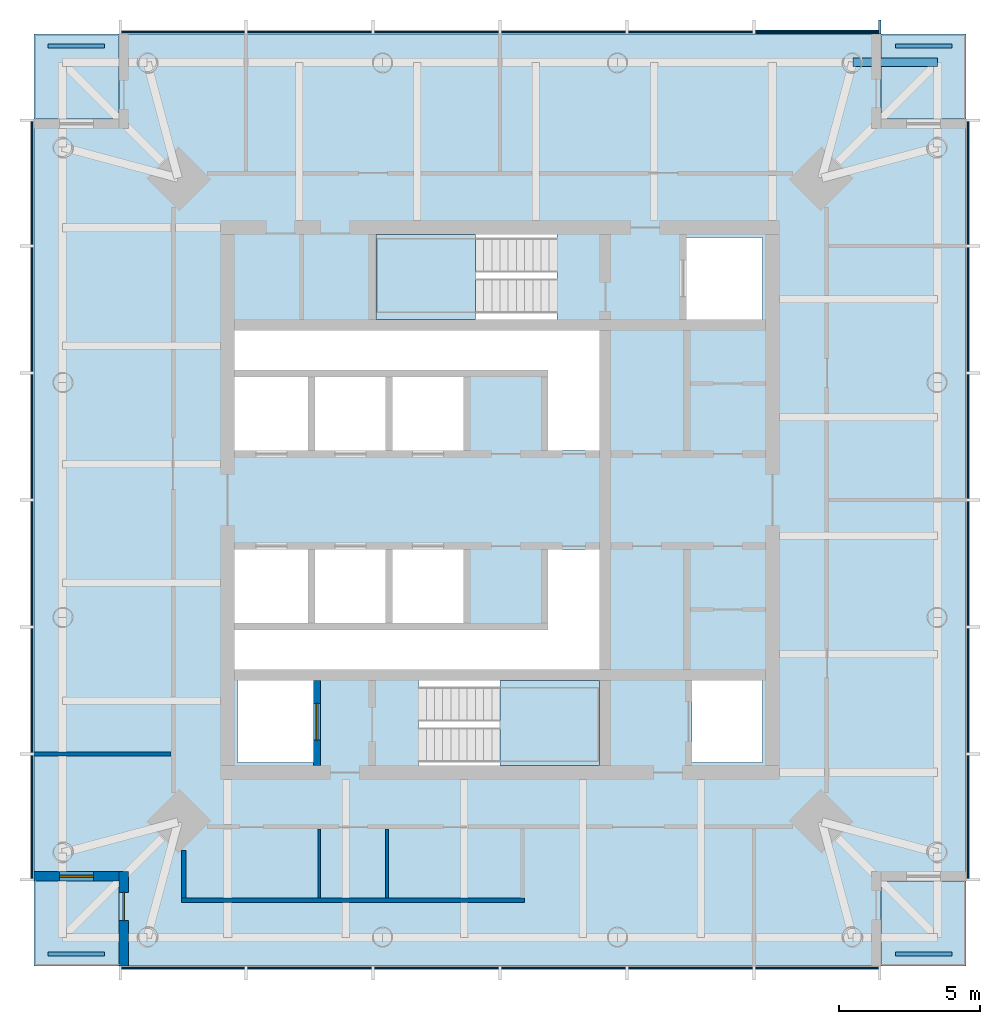
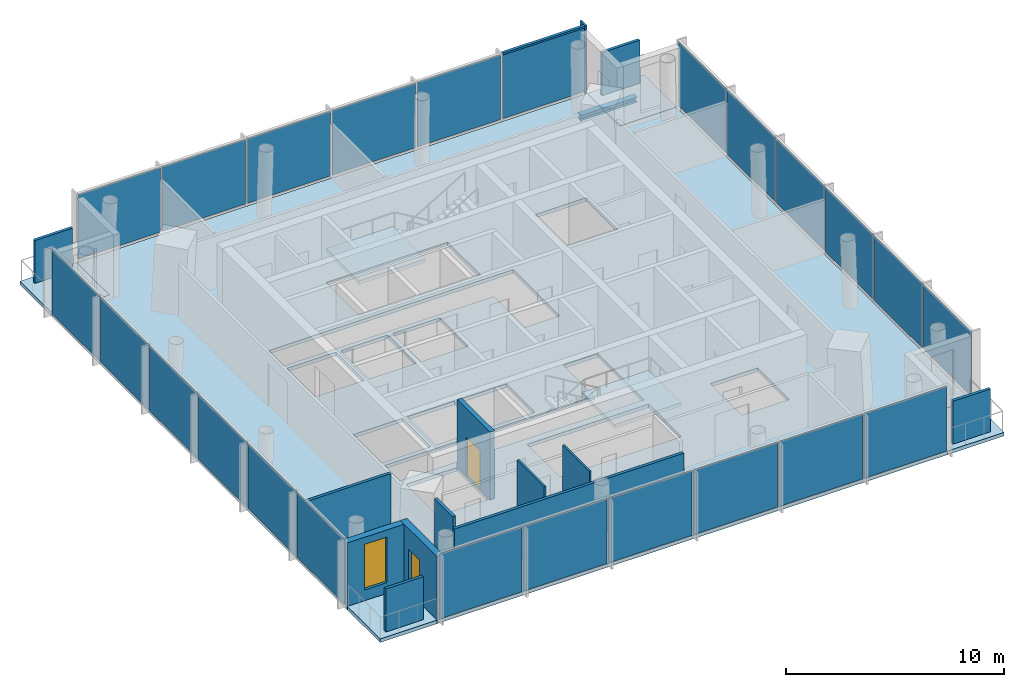
# One storey, part 3 of 7: 28 plates, 8 walls, 7 slabs, 2 doors, 2 members, 1 beam, 1 window, 3 openings, 6 elements without a shape of their own.
"""IFC4 building model written with IfcOpenShell, lengths in metres."""

from ifc_helpers import new_model, si_unit, direction, frame, frame_2d, origin, origin_2d, place, context, subcontext, project, spatial, polyline, rectangle, i_section, outline, extrude, material, layer, layer_set, material_profile, profile_set, type_object, element, fill, aggregate, save


model = new_model("IFC4")

# Units and contexts
model_context = context("Model", 3, precision=1e-05, world=origin(), true_north=direction((0.0, 1.0)))
body_context = subcontext(model_context, "Body", "Model", "MODEL_VIEW")
ifc_project = project(units=[si_unit("LENGTHUNIT", "METRE"), si_unit("AREAUNIT", "SQUARE_METRE"), si_unit("VOLUMEUNIT", "CUBIC_METRE"), si_unit("PLANEANGLEUNIT", "RADIAN"), si_unit("MASSUNIT", "GRAM", prefix="KILO")], contexts=[model_context])

# Site, building, storey
site_placement = place(None, origin())
site = spatial("IfcSite", under=ifc_project, at=site_placement, CompositionType="ELEMENT")
building_placement = place(site_placement, origin())
building = spatial("IfcBuilding", under=site, at=building_placement, Name="Ostroluk Exchange", CompositionType="ELEMENT")
storey_placement = place(building_placement, frame((0.0, 0.0, 287.0)))
storey = spatial("IfcBuildingStorey", under=building, at=storey_placement, Name="L74", CompositionType="ELEMENT", Elevation=287.0)

# Beam
ifc_material_1 = material(Name="Steel S355", Category="steel")
ifc_material_profile_1 = material_profile(ifc_material_1, i_section(OverallWidth=0.300048828125, OverallDepth=0.300048828125, WebThickness=0.010986328125, FlangeThickness=0.01904296875, FilletRadius=0.027099609375, at=origin_2d()), Name="HEB 300")
ifc_profile_set_1 = profile_set([ifc_material_profile_1], Name="Steel S355")
beam_type = type_object("IfcBeamType", Name="Balcony beam HEB 300", PredefinedType="BEAM", material=ifc_profile_set_1)
beam_placement = place(storey_placement, frame((57.5, 61.5, -0.35009765625), z_axis=(1.0, 0.0, 0.0), x_axis=(0.0, 1.0, 0.0)))
element("IfcBeam", 1, at=beam_placement, inside=storey, type_object=beam_type, Name="T1 east balcony beam b", PredefinedType="BEAM", context=body_context, shape_type="SweptSolid", body=[
    extrude(i_section(OverallWidth=0.300048828125, OverallDepth=0.300048828125, WebThickness=0.010986328125, FlangeThickness=0.01904296875, FilletRadius=0.027099609375, at=origin_2d()), origin(), (0.0, 0.0, 1.0), 3.0),
])

# Curtain wall, members
ifc_material_2 = material(Name="Laminated clear glass", Category="glass")
curtain_wall_type = type_object("IfcCurtainWallType", Name="Sky garden and observation glazing", PredefinedType="USERDEFINED", material=ifc_material_2)
curtain_wall_1_placement = place(storey_placement, origin())
curtain_wall_1 = element("IfcCurtainWall", 2, at=curtain_wall_1_placement, inside=storey, type_object=curtain_wall_type, Name="Office tower north facade L74", ObjectType="STRUCTURAL GLAZING", PredefinedType="USERDEFINED")
ifc_material_3 = material(Name="Aluminium mullion", Category="aluminium")
ifc_material_profile_2 = material_profile(ifc_material_3, rectangle(XDim=0.14990234375, YDim=0.10009765625, at=origin_2d()), Name="Sill transom 100 x 150")
ifc_profile_set_2 = profile_set([ifc_material_profile_2], Name="Aluminium mullion")
member_type_1 = type_object("IfcMemberType", Name="Sill transom 100 x 150", PredefinedType="USERDEFINED", material=ifc_profile_set_2)
member_1_placement = place(storey_placement, frame((58.39990234375, 62.574951171875, 3.75), z_axis=(-1.0, 0.0, 0.0), x_axis=(0.0, -1.0, 0.0)))
member_1 = element("IfcMember", 3, at=member_1_placement, type_object=member_type_1, Name="CW-S1 transom 1.2", ObjectType="TRANSOM", PredefinedType="USERDEFINED", context=body_context, shape_type="SweptSolid", body=[
    extrude(rectangle(XDim=0.14990234375, YDim=0.10009765625, at=origin_2d()), origin(), (0.0, 0.0, 1.0), 4.349853515625),
])
ifc_material_4 = material(Name="Aluminium mullion with limestone facing", Category="masonry")
ifc_material_profile_3 = material_profile(ifc_material_4, rectangle(XDim=0.5, YDim=0.10009765625, at=origin_2d()), Name="Tracery mullion 100 x 500")
ifc_profile_set_3 = profile_set([ifc_material_profile_3], Name="Aluminium mullion with limestone facing")
member_type_2 = type_object("IfcMemberType", Name="Tracery mullion 100 x 500", PredefinedType="MULLION", material=ifc_profile_set_3)
member_2_placement = place(storey_placement, frame((58.449951171875, 62.75, 0.0), z_axis=(0.0, 0.0, 1.0), x_axis=(0.0, -1.0, 0.0)))
member_2 = element("IfcMember", 4, at=member_2_placement, type_object=member_type_2, Name="CW-S1 mullion 1", PredefinedType="MULLION", context=body_context, shape_type="SweptSolid", body=[
    extrude(rectangle(XDim=0.5, YDim=0.10009765625, at=origin_2d()), origin(), (0.0, 0.0, 1.0), 3.800048828125),
])

# Slabs
ifc_material_5 = material(Name="Concrete C35/45", Category="concrete")
ifc_layer_1 = layer(ifc_material_5, 0.199951171875)
ifc_layer_set_1 = layer_set([ifc_layer_1], Name="Balcony slab 200")
slab_type_1 = type_object("IfcSlabType", Name="Balcony slab 200", PredefinedType="USERDEFINED", material=ifc_layer_set_1)
slab_1_placement = place(storey_placement, frame((0.0, 0.0, -0.199951171875)))
element("IfcSlab", 5, at=slab_1_placement, inside=storey, type_object=slab_type_1, Name="Office tower SE corner balcony L74", ObjectType="BALCONY", PredefinedType="USERDEFINED", context=body_context, shape_type="SweptSolid", body=[
    extrude(outline(polyline([(58.5, 29.5), (61.5, 29.5), (61.5, 32.5), (58.5, 32.5), (58.5, 29.5)])), origin(), (0.0, 0.0, 1.0), 0.199951171875),
])
slab_2_placement = place(storey_placement, frame((0.0, 0.0, -0.199951171875)))
element("IfcSlab", 6, at=slab_2_placement, inside=storey, type_object=slab_type_1, Name="Office tower NE corner balcony L74", ObjectType="BALCONY", PredefinedType="USERDEFINED", context=body_context, shape_type="SweptSolid", body=[
    extrude(outline(polyline([(58.5, 59.5), (61.5, 59.5), (61.5, 62.5), (58.5, 62.5), (58.5, 59.5)])), origin(), (0.0, 0.0, 1.0), 0.199951171875),
])
slab_3_placement = place(storey_placement, frame((0.0, 0.0, -0.199951171875)))
element("IfcSlab", 7, at=slab_3_placement, inside=storey, type_object=slab_type_1, Name="Office tower NW corner balcony L74", ObjectType="BALCONY", PredefinedType="USERDEFINED", context=body_context, shape_type="SweptSolid", body=[
    extrude(outline(polyline([(28.5, 59.5), (31.5, 59.5), (31.5, 62.5), (28.5, 62.5), (28.5, 59.5)])), origin(), (0.0, 0.0, 1.0), 0.199951171875),
])
slab_4_placement = place(storey_placement, frame((0.0, 0.0, -0.199951171875)))
element("IfcSlab", 8, at=slab_4_placement, inside=storey, type_object=slab_type_1, Name="Office tower SW corner balcony L74", ObjectType="BALCONY", PredefinedType="USERDEFINED", context=body_context, shape_type="SweptSolid", body=[
    extrude(outline(polyline([(28.5, 29.5), (31.5, 29.5), (31.5, 32.5), (28.5, 32.5), (28.5, 29.5)])), origin(), (0.0, 0.0, 1.0), 0.199951171875),
])

# Curtain wall, plates
curtain_wall_2_placement = place(storey_placement, origin())
curtain_wall_2 = element("IfcCurtainWall", 9, at=curtain_wall_2_placement, inside=storey, type_object=curtain_wall_type, Name="Office tower south facade L74", ObjectType="STRUCTURAL GLAZING", PredefinedType="USERDEFINED")
ifc_material_6 = material(Name="Laminated clear glass", Category="glass")
ifc_layer_2 = layer(ifc_material_6, 0.052001953125)
ifc_layer_set_2 = layer_set([ifc_layer_2], Name="Low iron laminated glazing 52")
plate_type_1 = type_object("IfcPlateType", Name="Low iron laminated glazing 52", PredefinedType="CURTAIN_PANEL", material=ifc_layer_set_2)
plate_1_placement = place(storey_placement, frame((33.77490234375, 29.425048828125, 0.099853515625), z_axis=(0.0, 0.0, 1.0), x_axis=(1.0, 0.0, 0.0)))
plate_1 = element("IfcPlate", 10, at=plate_1_placement, type_object=plate_type_1, Name="CW-S1 panel 1.1", PredefinedType="CURTAIN_PANEL", context=body_context, shape_type="SweptSolid", body=[
    extrude(rectangle(XDim=4.35009765625, YDim=0.052001953125, at=origin_2d()), origin(), (0.0, 0.0, 1.0), 3.60009765625),
])
plate_2_placement = place(storey_placement, frame((38.25, 29.425048828125, 0.099853515625), z_axis=(0.0, 0.0, 1.0), x_axis=(1.0, 0.0, 0.0)))
plate_2 = element("IfcPlate", 11, at=plate_2_placement, type_object=plate_type_1, Name="CW-S1 panel 2.1", PredefinedType="CURTAIN_PANEL", context=body_context, shape_type="SweptSolid", body=[
    extrude(rectangle(XDim=4.39990234375, YDim=0.052001953125, at=origin_2d()), origin(), (0.0, 0.0, 1.0), 3.60009765625),
])
plate_3_placement = place(storey_placement, frame((42.75, 29.425048828125, 0.099853515625), z_axis=(0.0, 0.0, 1.0), x_axis=(1.0, 0.0, 0.0)))
plate_3 = element("IfcPlate", 12, at=plate_3_placement, type_object=plate_type_1, Name="CW-S1 panel 3.1", PredefinedType="CURTAIN_PANEL", context=body_context, shape_type="SweptSolid", body=[
    extrude(rectangle(XDim=4.39990234375, YDim=0.052001953125, at=origin_2d()), origin(), (0.0, 0.0, 1.0), 3.60009765625),
])
plate_4_placement = place(storey_placement, frame((47.25, 29.425048828125, 0.099853515625), z_axis=(0.0, 0.0, 1.0), x_axis=(1.0, 0.0, 0.0)))
plate_4 = element("IfcPlate", 13, at=plate_4_placement, type_object=plate_type_1, Name="CW-S1 panel 4.1", PredefinedType="CURTAIN_PANEL", context=body_context, shape_type="SweptSolid", body=[
    extrude(rectangle(XDim=4.39990234375, YDim=0.052001953125, at=origin_2d()), origin(), (0.0, 0.0, 1.0), 3.60009765625),
])
plate_5_placement = place(storey_placement, frame((51.75, 29.425048828125, 0.099853515625), z_axis=(0.0, 0.0, 1.0), x_axis=(1.0, 0.0, 0.0)))
plate_5 = element("IfcPlate", 14, at=plate_5_placement, type_object=plate_type_1, Name="CW-S1 panel 5.1", PredefinedType="CURTAIN_PANEL", context=body_context, shape_type="SweptSolid", body=[
    extrude(rectangle(XDim=4.39990234375, YDim=0.052001953125, at=origin_2d()), origin(), (0.0, 0.0, 1.0), 3.60009765625),
])
plate_6_placement = place(storey_placement, frame((56.22509765625, 29.425048828125, 0.099853515625), z_axis=(0.0, 0.0, 1.0), x_axis=(1.0, 0.0, 0.0)))
plate_6 = element("IfcPlate", 15, at=plate_6_placement, type_object=plate_type_1, Name="CW-S1 panel 6.1", PredefinedType="CURTAIN_PANEL", context=body_context, shape_type="SweptSolid", body=[
    extrude(rectangle(XDim=4.35009765625, YDim=0.052001953125, at=origin_2d()), origin(), (0.0, 0.0, 1.0), 3.60009765625),
])
aggregate(curtain_wall_2, [plate_1, plate_2, plate_3, plate_4, plate_5, plate_6])

curtain_wall_3_placement = place(storey_placement, origin())
curtain_wall_3 = element("IfcCurtainWall", 16, at=curtain_wall_3_placement, inside=storey, type_object=curtain_wall_type, Name="Office tower east facade L74", ObjectType="STRUCTURAL GLAZING", PredefinedType="USERDEFINED")
plate_7_placement = place(storey_placement, frame((61.574951171875, 34.77490234375, 0.099853515625), z_axis=(0.0, 0.0, 1.0), x_axis=(0.0, 1.0, 0.0)))
plate_7 = element("IfcPlate", 17, at=plate_7_placement, type_object=plate_type_1, Name="CW-S1 panel 1.1", PredefinedType="CURTAIN_PANEL", context=body_context, shape_type="SweptSolid", body=[
    extrude(rectangle(XDim=4.35009765625, YDim=0.052001953125, at=origin_2d()), origin(), (0.0, 0.0, 1.0), 3.60009765625),
])
plate_8_placement = place(storey_placement, frame((61.574951171875, 39.25, 0.099853515625), z_axis=(0.0, 0.0, 1.0), x_axis=(0.0, 1.0, 0.0)))
plate_8 = element("IfcPlate", 18, at=plate_8_placement, type_object=plate_type_1, Name="CW-S1 panel 2.1", PredefinedType="CURTAIN_PANEL", context=body_context, shape_type="SweptSolid", body=[
    extrude(rectangle(XDim=4.39990234375, YDim=0.052001953125, at=origin_2d()), origin(), (0.0, 0.0, 1.0), 3.60009765625),
])
plate_9_placement = place(storey_placement, frame((61.574951171875, 43.75, 0.099853515625), z_axis=(0.0, 0.0, 1.0), x_axis=(0.0, 1.0, 0.0)))
plate_9 = element("IfcPlate", 19, at=plate_9_placement, type_object=plate_type_1, Name="CW-S1 panel 3.1", PredefinedType="CURTAIN_PANEL", context=body_context, shape_type="SweptSolid", body=[
    extrude(rectangle(XDim=4.39990234375, YDim=0.052001953125, at=origin_2d()), origin(), (0.0, 0.0, 1.0), 3.60009765625),
])
plate_10_placement = place(storey_placement, frame((61.574951171875, 48.25, 0.099853515625), z_axis=(0.0, 0.0, 1.0), x_axis=(0.0, 1.0, 0.0)))
plate_10 = element("IfcPlate", 20, at=plate_10_placement, type_object=plate_type_1, Name="CW-S1 panel 4.1", PredefinedType="CURTAIN_PANEL", context=body_context, shape_type="SweptSolid", body=[
    extrude(rectangle(XDim=4.39990234375, YDim=0.052001953125, at=origin_2d()), origin(), (0.0, 0.0, 1.0), 3.60009765625),
])
plate_11_placement = place(storey_placement, frame((61.574951171875, 52.75, 0.099853515625), z_axis=(0.0, 0.0, 1.0), x_axis=(0.0, 1.0, 0.0)))
plate_11 = element("IfcPlate", 21, at=plate_11_placement, type_object=plate_type_1, Name="CW-S1 panel 5.1", PredefinedType="CURTAIN_PANEL", context=body_context, shape_type="SweptSolid", body=[
    extrude(rectangle(XDim=4.39990234375, YDim=0.052001953125, at=origin_2d()), origin(), (0.0, 0.0, 1.0), 3.60009765625),
])
plate_12_placement = place(storey_placement, frame((61.574951171875, 57.22509765625, 0.099853515625), z_axis=(0.0, 0.0, 1.0), x_axis=(0.0, 1.0, 0.0)))
plate_12 = element("IfcPlate", 22, at=plate_12_placement, type_object=plate_type_1, Name="CW-S1 panel 6.1", PredefinedType="CURTAIN_PANEL", context=body_context, shape_type="SweptSolid", body=[
    extrude(rectangle(XDim=4.35009765625, YDim=0.052001953125, at=origin_2d()), origin(), (0.0, 0.0, 1.0), 3.60009765625),
])
aggregate(curtain_wall_3, [plate_7, plate_8, plate_9, plate_10, plate_11, plate_12])

# Plate
plate_13_placement = place(storey_placement, frame((56.22509765625, 62.574951171875, 0.099853515625), z_axis=(0.0, 0.0, 1.0), x_axis=(-1.0, 0.0, 0.0)))
plate_13 = element("IfcPlate", 23, at=plate_13_placement, type_object=plate_type_1, Name="CW-S1 panel 1.1", PredefinedType="CURTAIN_PANEL", context=body_context, shape_type="SweptSolid", body=[
    extrude(rectangle(XDim=4.35009765625, YDim=0.052001953125, at=origin_2d()), origin(), (0.0, 0.0, 1.0), 3.60009765625),
])

plate_14_placement = place(storey_placement, frame((51.75, 62.574951171875, 0.099853515625), z_axis=(0.0, 0.0, 1.0), x_axis=(-1.0, 0.0, 0.0)))
plate_14 = element("IfcPlate", 24, at=plate_14_placement, type_object=plate_type_1, Name="CW-S1 panel 2.1", PredefinedType="CURTAIN_PANEL", context=body_context, shape_type="SweptSolid", body=[
    extrude(rectangle(XDim=4.39990234375, YDim=0.052001953125, at=origin_2d()), origin(), (0.0, 0.0, 1.0), 3.60009765625),
])

plate_15_placement = place(storey_placement, frame((47.25, 62.574951171875, 0.099853515625), z_axis=(0.0, 0.0, 1.0), x_axis=(-1.0, 0.0, 0.0)))
plate_15 = element("IfcPlate", 25, at=plate_15_placement, type_object=plate_type_1, Name="CW-S1 panel 3.1", PredefinedType="CURTAIN_PANEL", context=body_context, shape_type="SweptSolid", body=[
    extrude(rectangle(XDim=4.39990234375, YDim=0.052001953125, at=origin_2d()), origin(), (0.0, 0.0, 1.0), 3.60009765625),
])

plate_16_placement = place(storey_placement, frame((42.75, 62.574951171875, 0.099853515625), z_axis=(0.0, 0.0, 1.0), x_axis=(-1.0, 0.0, 0.0)))
plate_16 = element("IfcPlate", 26, at=plate_16_placement, type_object=plate_type_1, Name="CW-S1 panel 4.1", PredefinedType="CURTAIN_PANEL", context=body_context, shape_type="SweptSolid", body=[
    extrude(rectangle(XDim=4.39990234375, YDim=0.052001953125, at=origin_2d()), origin(), (0.0, 0.0, 1.0), 3.60009765625),
])

plate_17_placement = place(storey_placement, frame((38.25, 62.574951171875, 0.099853515625), z_axis=(0.0, 0.0, 1.0), x_axis=(-1.0, 0.0, 0.0)))
plate_17 = element("IfcPlate", 27, at=plate_17_placement, type_object=plate_type_1, Name="CW-S1 panel 5.1", PredefinedType="CURTAIN_PANEL", context=body_context, shape_type="SweptSolid", body=[
    extrude(rectangle(XDim=4.39990234375, YDim=0.052001953125, at=origin_2d()), origin(), (0.0, 0.0, 1.0), 3.60009765625),
])

plate_18_placement = place(storey_placement, frame((33.77490234375, 62.574951171875, 0.099853515625), z_axis=(0.0, 0.0, 1.0), x_axis=(-1.0, 0.0, 0.0)))
plate_18 = element("IfcPlate", 28, at=plate_18_placement, type_object=plate_type_1, Name="CW-S1 panel 6.1", PredefinedType="CURTAIN_PANEL", context=body_context, shape_type="SweptSolid", body=[
    extrude(rectangle(XDim=4.35009765625, YDim=0.052001953125, at=origin_2d()), origin(), (0.0, 0.0, 1.0), 3.60009765625),
])

aggregate(curtain_wall_1, [member_2, member_1, plate_13, plate_14, plate_15, plate_16, plate_17, plate_18])

# Curtain wall, plates
curtain_wall_4_placement = place(storey_placement, origin())
curtain_wall_4 = element("IfcCurtainWall", 29, at=curtain_wall_4_placement, inside=storey, type_object=curtain_wall_type, Name="Office tower west facade L74", ObjectType="STRUCTURAL GLAZING", PredefinedType="USERDEFINED")
plate_19_placement = place(storey_placement, frame((28.425048828125, 57.22509765625, 0.099853515625), z_axis=(0.0, 0.0, 1.0), x_axis=(0.0, -1.0, 0.0)))
plate_19 = element("IfcPlate", 30, at=plate_19_placement, type_object=plate_type_1, Name="CW-S1 panel 1.1", PredefinedType="CURTAIN_PANEL", context=body_context, shape_type="SweptSolid", body=[
    extrude(rectangle(XDim=4.35009765625, YDim=0.052001953125, at=origin_2d()), origin(), (0.0, 0.0, 1.0), 3.60009765625),
])
plate_20_placement = place(storey_placement, frame((28.425048828125, 52.75, 0.099853515625), z_axis=(0.0, 0.0, 1.0), x_axis=(0.0, -1.0, 0.0)))
plate_20 = element("IfcPlate", 31, at=plate_20_placement, type_object=plate_type_1, Name="CW-S1 panel 2.1", PredefinedType="CURTAIN_PANEL", context=body_context, shape_type="SweptSolid", body=[
    extrude(rectangle(XDim=4.39990234375, YDim=0.052001953125, at=origin_2d()), origin(), (0.0, 0.0, 1.0), 3.60009765625),
])
plate_21_placement = place(storey_placement, frame((28.425048828125, 48.25, 0.099853515625), z_axis=(0.0, 0.0, 1.0), x_axis=(0.0, -1.0, 0.0)))
plate_21 = element("IfcPlate", 32, at=plate_21_placement, type_object=plate_type_1, Name="CW-S1 panel 3.1", PredefinedType="CURTAIN_PANEL", context=body_context, shape_type="SweptSolid", body=[
    extrude(rectangle(XDim=4.39990234375, YDim=0.052001953125, at=origin_2d()), origin(), (0.0, 0.0, 1.0), 3.60009765625),
])
plate_22_placement = place(storey_placement, frame((28.425048828125, 43.75, 0.099853515625), z_axis=(0.0, 0.0, 1.0), x_axis=(0.0, -1.0, 0.0)))
plate_22 = element("IfcPlate", 33, at=plate_22_placement, type_object=plate_type_1, Name="CW-S1 panel 4.1", PredefinedType="CURTAIN_PANEL", context=body_context, shape_type="SweptSolid", body=[
    extrude(rectangle(XDim=4.39990234375, YDim=0.052001953125, at=origin_2d()), origin(), (0.0, 0.0, 1.0), 3.60009765625),
])
plate_23_placement = place(storey_placement, frame((28.425048828125, 39.25, 0.099853515625), z_axis=(0.0, 0.0, 1.0), x_axis=(0.0, -1.0, 0.0)))
plate_23 = element("IfcPlate", 34, at=plate_23_placement, type_object=plate_type_1, Name="CW-S1 panel 5.1", PredefinedType="CURTAIN_PANEL", context=body_context, shape_type="SweptSolid", body=[
    extrude(rectangle(XDim=4.39990234375, YDim=0.052001953125, at=origin_2d()), origin(), (0.0, 0.0, 1.0), 3.60009765625),
])
plate_24_placement = place(storey_placement, frame((28.425048828125, 34.77490234375, 0.099853515625), z_axis=(0.0, 0.0, 1.0), x_axis=(0.0, -1.0, 0.0)))
plate_24 = element("IfcPlate", 35, at=plate_24_placement, type_object=plate_type_1, Name="CW-S1 panel 6.1", PredefinedType="CURTAIN_PANEL", context=body_context, shape_type="SweptSolid", body=[
    extrude(rectangle(XDim=4.35009765625, YDim=0.052001953125, at=origin_2d()), origin(), (0.0, 0.0, 1.0), 3.60009765625),
])
aggregate(curtain_wall_4, [plate_19, plate_20, plate_21, plate_22, plate_23, plate_24])

# Plates
ifc_material_7 = material(Name="Steel S355 trellis with planting", Category="steel")
ifc_layer_3 = layer(ifc_material_7, 0.14990234375)
ifc_layer_set_3 = layer_set([ifc_layer_3], Name="Planted screen 150")
plate_type_2 = type_object("IfcPlateType", Name="Planted screen 150", PredefinedType="USERDEFINED", material=ifc_layer_set_3)
for number, where, z_axis, x_axis, name in (
    (36, (60.0, 29.925048828125, 0.0), (0.0, 0.0, 1.0), (1.0, 0.0, 0.0), "Office tower SE planted screen L74"),
    (37, (60.0, 62.074951171875, 0.0), (0.0, 0.0, 1.0), (1.0, 0.0, 0.0), "Office tower NE planted screen L74"),
    (38, (30.0, 62.074951171875, 0.0), (0.0, 0.0, 1.0), (1.0, 0.0, 0.0), "Office tower NW planted screen L74"),
    (39, (30.0, 29.925048828125, 0.0), (0.0, 0.0, 1.0), (1.0, 0.0, 0.0), "Office tower SW planted screen L74"),
):
    element("IfcPlate", number, at=place(storey_placement, frame(where, z_axis=z_axis, x_axis=x_axis)), inside=storey, type_object=plate_type_2, Name=name, ObjectType="PLANTED SCREEN", PredefinedType="USERDEFINED", context=body_context, shape_type="SweptSolid", body=[
        extrude(rectangle(XDim=2.0, YDim=0.14990234375, at=origin_2d()), origin(), (0.0, 0.0, 1.0), 2.39990234375),
    ])

# Stair, slab
ifc_material_8 = material(Name="Concrete C30/37", Category="concrete")
stair_type = type_object("IfcStairType", Name="Exit stair half turn 3800", PredefinedType="HALF_TURN_STAIR", material=ifc_material_8)
stair_1_placement = place(storey_placement, origin())
stair_1 = element("IfcStair", 40, at=stair_1_placement, inside=storey, type_object=stair_type, Name="Stair T1-S1 L74", PredefinedType="HALF_TURN_STAIR")
ifc_material_9 = material(Name="Concrete C30/37", Category="concrete")
ifc_layer_4 = layer(ifc_material_9, 0.199951171875)
ifc_layer_set_4 = layer_set([ifc_layer_4], Name="Stair landing 200")
slab_type_2 = type_object("IfcSlabType", Name="Stair landing 200", PredefinedType="LANDING", material=ifc_layer_set_4)
slab_5_placement = place(storey_placement, frame((0.0, 0.0, 1.699951171875)))
slab_5 = element("IfcSlab", 41, at=slab_5_placement, type_object=slab_type_2, Name="T1-S1 landing 1", PredefinedType="LANDING", context=body_context, shape_type="SweptSolid", body=[
    extrude(outline(polyline([(45.0, 36.60009765625), (45.0, 39.60009765625), (48.530029296875, 39.60009765625), (48.530029296875, 36.60009765625), (45.0, 36.60009765625)])), origin(), (0.0, 0.0, 1.0), 0.199951171875),
])
aggregate(stair_1, [slab_5])

stair_2_placement = place(storey_placement, origin())
stair_2 = element("IfcStair", 42, at=stair_2_placement, inside=storey, type_object=stair_type, Name="Stair T1-S2 L74", PredefinedType="HALF_TURN_STAIR")
slab_6_placement = place(storey_placement, frame((0.0, 0.0, 1.699951171875)))
slab_6 = element("IfcSlab", 43, at=slab_6_placement, type_object=slab_type_2, Name="T1-S2 landing 1", PredefinedType="LANDING", context=body_context, shape_type="SweptSolid", body=[
    extrude(outline(polyline([(44.1298828125, 52.39990234375), (44.1298828125, 55.39990234375), (40.60009765625, 55.39990234375), (40.60009765625, 52.39990234375), (44.1298828125, 52.39990234375)])), origin(), (0.0, 0.0, 1.0), 0.199951171875),
])
aggregate(stair_2, [slab_6])

# Slab
ifc_material_10 = material(Name="Concrete C35/45", Category="concrete")
ifc_layer_5 = layer(ifc_material_10, 0.199951171875)
ifc_layer_set_5 = layer_set([ifc_layer_5], Name="Tower floor slab 200")
slab_type_3 = type_object("IfcSlabType", Name="Tower floor slab 200", PredefinedType="FLOOR", material=ifc_layer_set_5)
slab_7_placement = place(storey_placement, frame((0.0, 0.0, -0.199951171875)))
element("IfcSlab", 44, at=slab_7_placement, inside=storey, type_object=slab_type_3, Name="Office tower floor slab L74", PredefinedType="FLOOR", context=body_context, shape_type="SweptSolid", body=[
    extrude(outline(polyline([(31.5, 29.5), (58.5, 29.5), (58.5, 32.5), (61.5, 32.5), (61.5, 59.5), (58.5, 59.5), (58.5, 62.5), (31.5, 62.5), (31.5, 59.5), (28.5, 59.5), (28.5, 32.5), (31.5, 32.5), (31.5, 29.5)]), holes=[polyline([(35.699951171875, 36.699951171875), (38.39990234375, 36.699951171875), (38.39990234375, 39.60009765625), (35.699951171875, 39.60009765625), (35.699951171875, 36.699951171875)]), polyline([(42.110107421875, 36.60009765625), (48.530029296875, 36.60009765625), (48.530029296875, 39.60009765625), (42.110107421875, 39.60009765625), (42.110107421875, 36.60009765625)]), polyline([(51.800048828125, 36.699951171875), (54.300048828125, 36.699951171875), (54.300048828125, 39.60009765625), (51.800048828125, 39.60009765625), (51.800048828125, 36.699951171875)]), polyline([(40.60009765625, 52.39990234375), (47.02001953125, 52.39990234375), (47.02001953125, 55.39990234375), (40.60009765625, 55.39990234375), (40.60009765625, 52.39990234375)]), polyline([(51.60009765625, 52.39990234375), (54.300048828125, 52.39990234375), (54.300048828125, 55.300048828125), (51.60009765625, 55.300048828125), (51.60009765625, 52.39990234375)]), polyline([(35.60009765625, 47.75), (38.199951171875, 47.75), (38.199951171875, 50.35009765625), (35.60009765625, 50.35009765625), (35.60009765625, 47.75)]), polyline([(38.449951171875, 47.75), (40.949951171875, 47.75), (40.949951171875, 50.35009765625), (38.449951171875, 50.35009765625), (38.449951171875, 47.75)]), polyline([(41.199951171875, 47.75), (43.699951171875, 47.75), (43.699951171875, 50.35009765625), (41.199951171875, 50.35009765625), (41.199951171875, 47.75)]), polyline([(35.60009765625, 41.64990234375), (38.199951171875, 41.64990234375), (38.199951171875, 44.25), (35.60009765625, 44.25), (35.60009765625, 41.64990234375)]), polyline([(38.449951171875, 41.64990234375), (40.949951171875, 41.64990234375), (40.949951171875, 44.25), (38.449951171875, 44.25), (38.449951171875, 41.64990234375)]), polyline([(41.199951171875, 41.64990234375), (43.699951171875, 41.64990234375), (43.699951171875, 44.25), (41.199951171875, 44.25), (41.199951171875, 41.64990234375)]), polyline([(48.530029296875, 52.0), (48.530029296875, 47.75), (46.699951171875, 47.75), (46.699951171875, 50.60009765625), (35.60009765625, 50.60009765625), (35.60009765625, 52.0), (48.530029296875, 52.0)]), polyline([(35.60009765625, 40.0), (35.60009765625, 41.39990234375), (46.699951171875, 41.39990234375), (46.699951171875, 44.25), (48.530029296875, 44.25), (48.530029296875, 40.0), (35.60009765625, 40.0)])]), origin(), (0.0, 0.0, 1.0), 0.199951171875),
])

# Walls
ifc_material_11 = material(Name="Concrete blockwork", Category="masonry")
ifc_layer_6 = layer(ifc_material_11, 0.10009765625)
ifc_layer_set_6 = layer_set([ifc_layer_6], Name="Blockwork WC wall 100")
wall_type_1 = type_object("IfcWallType", Name="Blockwork WC wall 100", PredefinedType="SOLIDWALL", material=ifc_layer_set_6)
for number, where, z_axis, x_axis, name in (
    (45, (38.60009765625, 34.35009765625, 0.0), (0.0, 0.0, 1.0), (0.0, -1.0, 0.0), "Blockwork WC wall"),
    (46, (41.0, 34.35009765625, 0.0), (0.0, 0.0, 1.0), (0.0, -1.0, 0.0), "Blockwork WC wall"),
):
    element("IfcWall", number, at=place(storey_placement, frame(where, z_axis=z_axis, x_axis=x_axis)), inside=storey, type_object=wall_type_1, Name=name, PredefinedType="SOLIDWALL", context=body_context, shape_type="SweptSolid", body=[
        extrude(rectangle(XDim=2.4501953125, YDim=0.10009765625, at=frame_2d((1.22509765625, 0.0))), origin(), (0.0, 0.0, 1.0), 3.550048828125),
    ])

# Wall, opening, door
ifc_material_12 = material(Name="Concrete C40/50", Category="concrete")
ifc_layer_7 = layer(ifc_material_12, 0.25)
ifc_layer_set_7 = layer_set([ifc_layer_7], Name="Core shaft wall 250")
wall_type_2 = type_object("IfcWallType", Name="Core shaft wall 250", PredefinedType="SHEAR", material=ifc_layer_set_7)
wall_1_placement = place(storey_placement, frame((38.52490234375, 36.60009765625, 0.0), z_axis=(0.0, 0.0, 1.0), x_axis=(0.0, 1.0, 0.0)))
wall_1 = element("IfcWall", 47, at=wall_1_placement, inside=storey, type_object=wall_type_2, Name="Firefighting lift shaft wall", PredefinedType="SHEAR", context=body_context, shape_type="SweptSolid", body=[
    extrude(rectangle(XDim=3.0, YDim=0.25, at=frame_2d((1.5, 0.0))), origin(), (0.0, 0.0, 1.0), 3.800048828125),
])
opening_1_placement = place(wall_1_placement, frame((0.89990234375, 0.0, 0.0)))
opening_1 = element("IfcOpeningElement", 48, at=opening_1_placement, cuts=wall_1, Name="Opening LD2", PredefinedType="OPENING", context=body_context, shape_type="SweptSolid", body=[
    extrude(rectangle(XDim=1.300048828125, YDim=2.199951171875, at=frame_2d((0.64990234375, 1.10009765625))), frame((0.0, 0.135009765625, 0.0), z_axis=(0.0, -1.0, 0.0), x_axis=(1.0, 0.0, 0.0)), (0.0, 0.0, 1.0), 0.27001953125),
])
ifc_material_13 = material(Name="Stainless steel", Category="steel")
door_type_1 = type_object("IfcDoorType", Name="Lift landing door E 60 1300 x 2200", OperationType="DOUBLE_DOOR_SLIDING", PredefinedType="DOOR", material=ifc_material_13)
door_1_placement = place(opening_1_placement, origin())
door_1 = element("IfcDoor", 49, at=door_1_placement, inside=storey, type_object=door_type_1, Name="Lift FL1 landing door", OperationType="DOUBLE_DOOR_SLIDING", OverallHeight=2.199951171875, OverallWidth=1.300048828125, PredefinedType="DOOR", context=body_context, shape_type="SweptSolid", body=[
    extrude(rectangle(XDim=1.300048828125, YDim=2.199951171875, at=frame_2d((0.64990234375, 1.10009765625))), frame((0.0, 0.02490234375, 0.0), z_axis=(0.0, -1.0, 0.0), x_axis=(1.0, 0.0, 0.0)), (0.0, 0.0, 1.0), 0.050048828125),
])
fill(opening_1, door_1)

ifc_material_14 = material(Name="Limestone", Category="masonry")
ifc_layer_8 = layer(ifc_material_14, 0.35009765625)
ifc_layer_set_8 = layer_set([ifc_layer_8], Name="Limestone facade wall 350")
wall_type_3 = type_object("IfcWallType", Name="Limestone facade wall 350", PredefinedType="SOLIDWALL", material=ifc_layer_set_8)
wall_2_placement = place(storey_placement, frame((31.675048828125, 29.5, 0.0), z_axis=(0.0, 0.0, 1.0), x_axis=(0.0, 1.0, 0.0)))
wall_2 = element("IfcWall", 50, at=wall_2_placement, inside=storey, type_object=wall_type_3, Name="Office tower SW corner wall L74 a", PredefinedType="SOLIDWALL", context=body_context, shape_type="SweptSolid", body=[
    extrude(rectangle(XDim=3.35009765625, YDim=0.35009765625, at=frame_2d((1.675048828125, 0.0))), origin(), (0.0, 0.0, 1.0), 3.550048828125),
])
opening_2_placement = place(wall_2_placement, frame((1.60009765625, 0.0, 0.0)))
opening_2 = element("IfcOpeningElement", 51, at=opening_2_placement, cuts=wall_2, Name="Opening D-B1", PredefinedType="OPENING", context=body_context, shape_type="SweptSolid", body=[
    extrude(rectangle(XDim=1.0, YDim=2.39990234375, at=frame_2d((0.5, 1.199951171875))), frame((0.0, 0.18505859375, 0.0), z_axis=(0.0, -1.0, 0.0), x_axis=(1.0, 0.0, 0.0)), (0.0, 0.0, 1.0), 0.3701171875),
])
ifc_material_15 = material(Name="Bronze framed glazed door", Category="aluminium")
door_type_2 = type_object("IfcDoorType", Name="Balcony door 1000 x 2400", OperationType="SINGLE_SWING_LEFT", PredefinedType="DOOR", material=ifc_material_15)
door_2_placement = place(opening_2_placement, origin())
door_2 = element("IfcDoor", 52, at=door_2_placement, inside=storey, type_object=door_type_2, Name="Office tower SW balcony door L74", OperationType="SINGLE_SWING_RIGHT", OverallHeight=2.39990234375, OverallWidth=1.0, PredefinedType="DOOR", context=body_context, shape_type="SweptSolid", body=[
    extrude(rectangle(XDim=1.0, YDim=2.39990234375, at=frame_2d((0.5, 1.199951171875))), frame((0.0, 0.02490234375, 0.0), z_axis=(0.0, -1.0, 0.0), x_axis=(1.0, 0.0, 0.0)), (0.0, 0.0, 1.0), 0.050048828125),
])
fill(opening_2, door_2)

# Wall, opening, window
wall_3_placement = place(storey_placement, frame((31.5, 32.675048828125, 0.0), z_axis=(0.0, 0.0, 1.0), x_axis=(-1.0, 0.0, 0.0)))
wall_3 = element("IfcWall", 53, at=wall_3_placement, inside=storey, type_object=wall_type_3, Name="Office tower SW corner wall L74 b", PredefinedType="SOLIDWALL", context=body_context, shape_type="SweptSolid", body=[
    extrude(rectangle(XDim=3.0, YDim=0.35009765625, at=frame_2d((1.5, 0.0))), origin(), (0.0, 0.0, 1.0), 3.550048828125),
])
opening_3_placement = place(wall_3_placement, frame((0.89990234375, 0.0, 0.60009765625)))
opening_3 = element("IfcOpeningElement", 54, at=opening_3_placement, cuts=wall_3, Name="Opening WN-L1", PredefinedType="OPENING", context=body_context, shape_type="SweptSolid", body=[
    extrude(rectangle(XDim=1.199951171875, YDim=2.550048828125, at=frame_2d((0.60009765625, 1.27490234375))), frame((0.0, 0.18505859375, 0.0), z_axis=(0.0, -1.0, 0.0), x_axis=(1.0, 0.0, 0.0)), (0.0, 0.0, 1.0), 0.3701171875),
])
ifc_material_16 = material(Name="Laminated clear glass", Category="glass")
window_type = type_object("IfcWindowType", Name="Lancet window 1200 x 2550", PartitioningType="SINGLE_PANEL", PredefinedType="WINDOW", material=ifc_material_16)
window_placement = place(opening_3_placement, origin())
window = element("IfcWindow", 55, at=window_placement, inside=storey, type_object=window_type, Name="Office tower SW lancet window L74", OverallHeight=2.550048828125, OverallWidth=1.199951171875, PartitioningType="SINGLE_PANEL", PredefinedType="WINDOW", context=body_context, shape_type="SweptSolid", body=[
    extrude(rectangle(XDim=1.199951171875, YDim=2.550048828125, at=frame_2d((0.60009765625, 1.27490234375))), frame((0.0, 0.030029296875, 0.0), z_axis=(0.0, -1.0, 0.0), x_axis=(1.0, 0.0, 0.0)), (0.0, 0.0, 1.0), 0.06005859375),
])
fill(opening_3, window)

# Walls
ifc_material_17 = material(Name="Gypsum plasterboard partition", Category="gypsum")
ifc_layer_9 = layer(ifc_material_17, 0.14990234375)
ifc_layer_set_9 = layer_set([ifc_layer_9], Name="Plasterboard partition 150")
wall_type_4 = type_object("IfcWallType", Name="Plasterboard partition 150", PredefinedType="PARTITIONING", material=ifc_layer_set_9)
wall_4_placement = place(storey_placement, frame((33.35009765625, 37.0, 0.0), z_axis=(0.0, 0.0, 1.0), x_axis=(-1.0, 0.0, 0.0)))
element("IfcWall", 56, at=wall_4_placement, inside=storey, type_object=wall_type_4, Name="Partition", PredefinedType="PARTITIONING", context=body_context, shape_type="SweptSolid", body=[
    extrude(rectangle(XDim=4.89013671875, YDim=0.14990234375, at=frame_2d((2.445068359375, 0.0))), origin(), (0.0, 0.0, 1.0), 3.050048828125),
])
ifc_material_18 = material(Name="Gypsum plasterboard partition, moisture resistant", Category="gypsum")
ifc_layer_10 = layer(ifc_material_18, 0.14990234375)
ifc_layer_set_10 = layer_set([ifc_layer_10], Name="Plasterboard toilet partition 150")
wall_type_5 = type_object("IfcWallType", Name="Plasterboard toilet partition 150", PredefinedType="PARTITIONING", material=ifc_layer_set_10)
wall_5_placement = place(storey_placement, frame((33.72509765625, 31.824951171875, 0.0), z_axis=(0.0, 0.0, 1.0), x_axis=(1.0, 0.0, 0.0)))
element("IfcWall", 57, at=wall_5_placement, inside=storey, type_object=wall_type_5, Name="Toilet partition", PredefinedType="PARTITIONING", context=body_context, shape_type="SweptSolid", body=[
    extrude(rectangle(XDim=12.14990234375, YDim=0.14990234375, at=frame_2d((6.074951171875, 0.0))), origin(), (0.0, 0.0, 1.0), 2.949951171875),
])
wall_6_placement = place(storey_placement, frame((33.800048828125, 33.59375, 0.0), z_axis=(0.0, 0.0, 1.0), x_axis=(0.0, -1.0, 0.0)))
element("IfcWall", 58, at=wall_6_placement, inside=storey, type_object=wall_type_5, Name="Toilet partition", PredefinedType="PARTITIONING", context=body_context, shape_type="SweptSolid", body=[
    extrude(rectangle(XDim=1.69384765625, YDim=0.14990234375, at=frame_2d((0.846923828125, 0.0))), origin(), (0.0, 0.0, 1.0), 3.550048828125),
])

save(model, "model.ifc")
